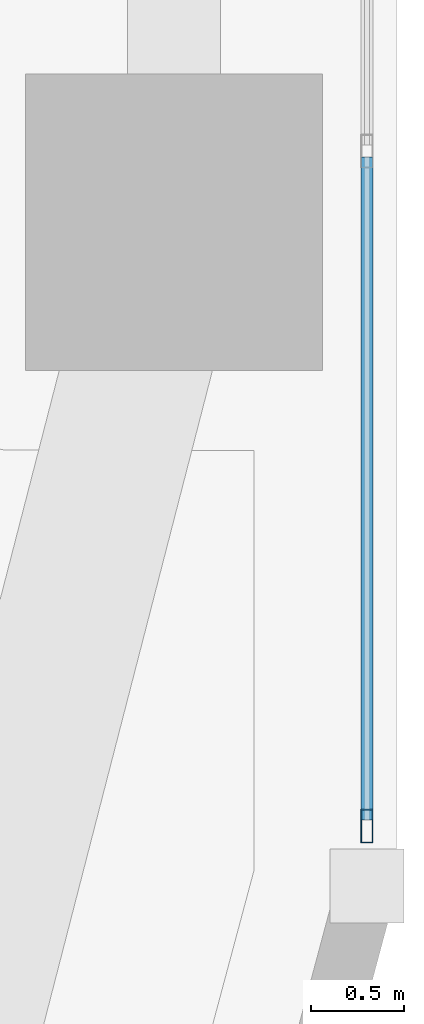
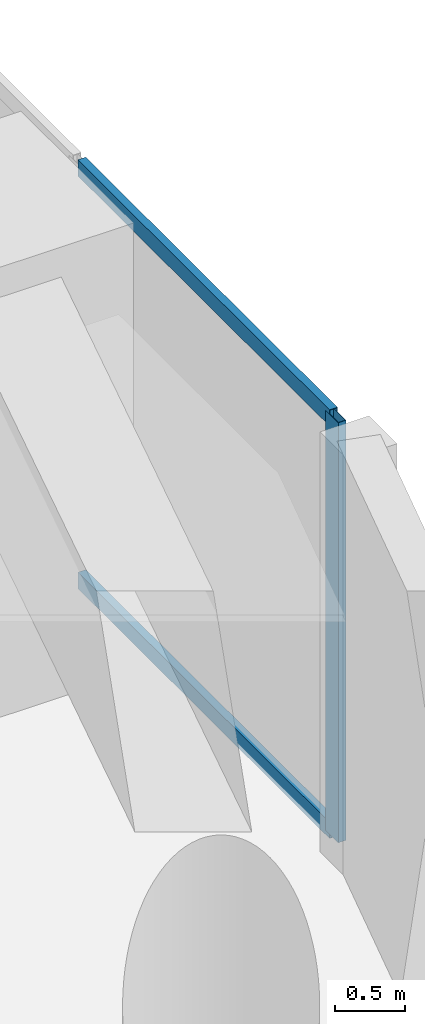
# One storey, part 4 of 28: 3 members, 1 element without a shape of its own.
"""IFC4 building model written with IfcOpenShell, lengths in metres."""

import ifcopenshell
import ifcopenshell.guid

model = None  # the IFC model being written
_history = None  # IfcOwnerHistory: only IFC2X3 demands one
_inside = {}  # id of a spatial element -> (the spatial element, [elements in it])
_under = {}  # id of a project, library or spatial element -> (it, [spatial elements below it])
_declared = {}  # id of a project -> (the project, [libraries it declares])
_typed = {}  # id of a type object -> (the type object, [elements of that type])
_made_of = {}  # id of a material, layer set ... -> (it, [elements and type objects made of it])


def new_model(schema):
    """Start an empty IFC model of exactly this schema.

    Asked for "IFC4X3", IfcOpenShell would pick the latest addendum, in which some entities
    have other attributes; the version numbers below select the first issue.
    IFC2X3 requires an IfcOwnerHistory on every rooted entity: one is made here for all.
    """
    global model, _history
    if schema == "IFC4X3":
        model = ifcopenshell.file(schema_version=(4, 3, 0, 0))
    else:
        model = ifcopenshell.file(schema=schema)
    _inside.clear()
    _under.clear()
    _declared.clear()
    _typed.clear()
    _made_of.clear()
    _history = None
    if model.schema == "IFC2X3":
        org = make("IfcOrganization", Name="unknown")
        user = make(
            "IfcPersonAndOrganization",
            ThePerson=make("IfcPerson", FamilyName="unknown"),
            TheOrganization=org,
        )
        app = make(
            "IfcApplication",
            ApplicationDeveloper=org,
            Version="unknown",
            ApplicationFullName="unknown",
            ApplicationIdentifier="unknown",
        )
        _history = make(
            "IfcOwnerHistory",
            OwningUser=user,
            OwningApplication=app,
            ChangeAction="ADDED",
            CreationDate=0,
        )
    return model


def make(cls, **values):
    """One entity of the class cls with the attributes given. An attribute that is None is left unset."""
    return model.create_entity(
        cls, **{name: value for name, value in values.items() if value is not None}
    )


def rooted(cls, **values):
    """An entity with a GlobalId (a new one), such as an element, a storey or a relation."""
    return make(cls, GlobalId=ifcopenshell.guid.new(), OwnerHistory=_history, **values)


def si_unit(unit_type, name, prefix=None):
    """IfcSIUnit, for example si_unit("LENGTHUNIT", "METRE", prefix="MILLI")."""
    return make("IfcSIUnit", UnitType=unit_type, Prefix=prefix, Name=name)


def assignment(units):
    """IfcUnitAssignment: the units of a project."""
    return None if units is None else make("IfcUnitAssignment", Units=units)


def point(xyz):
    """IfcCartesianPoint."""
    return None if xyz is None else make("IfcCartesianPoint", Coordinates=xyz)


def direction(xyz):
    """IfcDirection."""
    return None if xyz is None else make("IfcDirection", DirectionRatios=xyz)


def frame(location, z_axis=None, x_axis=None):
    """IfcAxis2Placement3D, a coordinate frame: its origin and axes. An axis left out is left unset."""
    return make(
        "IfcAxis2Placement3D",
        Location=point(location),
        Axis=direction(z_axis),
        RefDirection=direction(x_axis),
    )


def frame_2d(location, x_axis=None):
    """IfcAxis2Placement2D, a coordinate frame in the plane: its origin and x axis."""
    return make(
        "IfcAxis2Placement2D", Location=point(location), RefDirection=direction(x_axis)
    )


def origin():
    """The frame at (0, 0, 0) with its axes left unset."""
    return frame((0.0, 0.0, 0.0))


def origin_2d():
    """The frame at (0, 0) in the plane with its x axis left unset."""
    return frame_2d((0.0, 0.0))


def place(relative_to, where):
    """IfcLocalPlacement: puts the frame where relative to a parent placement (None: the world)."""
    return make(
        "IfcLocalPlacement", PlacementRelTo=relative_to, RelativePlacement=where
    )


def context(
    kind, dimensions, precision=None, world=None, true_north=None, identifier=None
):
    """IfcGeometricRepresentationContext, for example the 3D "Model" context."""
    return make(
        "IfcGeometricRepresentationContext",
        ContextIdentifier=identifier,
        ContextType=kind,
        CoordinateSpaceDimension=dimensions,
        Precision=precision,
        WorldCoordinateSystem=world,
        TrueNorth=true_north,
    )


def subcontext(parent, identifier, kind, view, scale=None):
    """IfcGeometricRepresentationSubContext, for example "Body" below "Model"."""
    return make(
        "IfcGeometricRepresentationSubContext",
        ContextIdentifier=identifier,
        ContextType=kind,
        ParentContext=parent,
        TargetScale=scale,
        TargetView=view,
    )


def project(units=None, contexts=None):
    """IfcProject with its units and contexts."""
    return rooted(
        "IfcProject",
        Name="project",
        RepresentationContexts=contexts,
        UnitsInContext=assignment(units),
    )


def spatial(cls, under=None, at=None, **own):
    """A site, building, storey or space (cls), placed at a placement, below another one or the project."""
    s = rooted(cls, ObjectPlacement=at, **own)
    if under is not None:
        _under.setdefault(under.id(), (under, []))[1].append(s)
    return s


def profile(cls, at=None, kind="AREA", **sizes):
    """A parametric profile (cls). Its sizes go by their IFC names, for example OverallWidth=200.0."""
    return make(cls, ProfileType=kind, Position=at, **sizes)


def hollow_rectangle(**sizes):
    """IfcRectangleHollowProfileDef."""
    return profile("IfcRectangleHollowProfileDef", **sizes)


def extrude(swept, where, along, depth):
    """IfcExtrudedAreaSolid: the profile swept, set in the frame where, extruded along a direction by depth."""
    return make(
        "IfcExtrudedAreaSolid",
        SweptArea=swept,
        Position=where,
        ExtrudedDirection=direction(along),
        Depth=depth,
    )


def shape(context_of_items, identifier, shape_type, items):
    """IfcShapeRepresentation: the items that make up one representation, for example the "Body"."""
    return make(
        "IfcShapeRepresentation",
        ContextOfItems=context_of_items,
        RepresentationIdentifier=identifier,
        RepresentationType=shape_type,
        Items=items,
    )


def material(Name=None, Category=None):
    """IfcMaterial."""
    return make("IfcMaterial", Name=Name, Category=Category)


def layer(
    of_material, thickness, ventilated=None, Name=None, Category=None, Priority=None
):
    """IfcMaterialLayer: one layer of a wall or slab, of a material (None: an air gap)."""
    return make(
        "IfcMaterialLayer",
        Material=of_material,
        LayerThickness=thickness,
        IsVentilated=ventilated,
        Name=Name,
        Category=Category,
        Priority=Priority,
    )


def layer_set(layers, Name=None):
    """IfcMaterialLayerSet."""
    return make("IfcMaterialLayerSet", MaterialLayers=layers, LayerSetName=Name)


def material_profile(
    of_material, cross_section, Name=None, Category=None, Priority=None
):
    """IfcMaterialProfile: a cross section and its material."""
    return make(
        "IfcMaterialProfile",
        Name=Name,
        Material=of_material,
        Profile=cross_section,
        Priority=Priority,
        Category=Category,
    )


def profile_set(profiles, Name=None, composite=None):
    """IfcMaterialProfileSet."""
    return make(
        "IfcMaterialProfileSet",
        Name=Name,
        MaterialProfiles=profiles,
        CompositeProfile=composite,
    )


def made_of(thing, what):
    """Note that an element or type object is made of a material, layer set ...; save() writes the relation."""
    if what is not None:
        _made_of.setdefault(what.id(), (what, []))[1].append(thing)
    return thing


def type_object(cls, material=None, **own):
    """A type object (cls), such as IfcWallType, which elements share."""
    return made_of(rooted(cls, **own), material)


def element(
    cls,
    number,
    at=None,
    inside=None,
    cuts=None,
    type_object=None,
    material=None,
    context=None,
    identifier="Body",
    shape_type=None,
    held_by="IfcProductDefinitionShape",
    body=None,
    shapes=None,
    **own,
):
    """One element of the class cls, such as IfcWall. Its Tag is "e" and its number.

    at: its placement. inside: the storey or other place that contains it. cuts: it is an
    opening in that element (IfcRelVoidsElement). A single representation is given by context,
    identifier, shape_type and body (its items); several are given by shapes. held_by: the class
    of the entity that holds the representations. save() writes the other relations.
    """
    e = rooted(cls, Tag="e%d" % number, ObjectPlacement=at, **own)
    if body is not None:
        shapes = [shape(context, identifier, shape_type, body)]
    if shapes is not None:
        e.Representation = make(held_by, Representations=shapes)
    if inside is not None:
        _inside.setdefault(inside.id(), (inside, []))[1].append(e)
    if cuts is not None:
        rooted(
            "IfcRelVoidsElement", RelatingBuildingElement=cuts, RelatedOpeningElement=e
        )
    if type_object is not None:
        _typed.setdefault(type_object.id(), (type_object, []))[1].append(e)
    return made_of(e, material)


def aggregate(whole, parts):
    """IfcRelAggregates: a whole, such as a stair, and the parts it consists of."""
    return rooted("IfcRelAggregates", RelatingObject=whole, RelatedObjects=parts)


def save(model, path):
    """Write the relations noted so far, then the file.

    IfcRelAggregates (storeys below a building ...), IfcRelContainedInSpatialStructure (elements
    in a storey), IfcRelDefinesByType, IfcRelAssociatesMaterial and IfcRelDeclares: one each for
    every whole, place, type object, material and project.
    """
    for whole, parts in _under.values():
        aggregate(whole, parts)
    for where, things in _inside.values():
        rooted(
            "IfcRelContainedInSpatialStructure",
            RelatedElements=things,
            RelatingStructure=where,
        )
    for kind, things in _typed.values():
        rooted("IfcRelDefinesByType", RelatedObjects=things, RelatingType=kind)
    for what, things in _made_of.values():
        rooted("IfcRelAssociatesMaterial", RelatedObjects=things, RelatingMaterial=what)
    for by, libraries in _declared.values():
        rooted("IfcRelDeclares", RelatingContext=by, RelatedDefinitions=libraries)
    model.write(path)


model = new_model("IFC4")

# Units and contexts
model_context = context("Model", 3, precision=1e-05, world=origin(), true_north=direction((0.0, 1.0)))
body_context = subcontext(model_context, "Body", "Model", "MODEL_VIEW")
ifc_project = project(units=[si_unit("LENGTHUNIT", "METRE"), si_unit("AREAUNIT", "SQUARE_METRE"), si_unit("VOLUMEUNIT", "CUBIC_METRE"), si_unit("PLANEANGLEUNIT", "RADIAN"), si_unit("MASSUNIT", "GRAM", prefix="KILO")], contexts=[model_context])

# Site, building, storey
site_placement = place(None, origin())
site = spatial("IfcSite", under=ifc_project, at=site_placement, CompositionType="ELEMENT")
building_placement = place(site_placement, origin())
building = spatial("IfcBuilding", under=site, at=building_placement, Name="Kiyonajd Concourse Tower", CompositionType="ELEMENT")
storey_placement = place(building_placement, frame((0.0, 0.0, 37.199951171875)))
storey = spatial("IfcBuildingStorey", under=building, at=storey_placement, Name="L10", CompositionType="ELEMENT", Elevation=37.199951171875)

# Curtain wall, members
ifc_material = material(Name="Thermally Broken Anodised Aluminium", Category="aluminium")
ifc_layer = layer(ifc_material, 0.179931640625)
ifc_layer_set = layer_set([ifc_layer], Name="Thermally Broken Anodised Aluminium")
curtain_wall_type = type_object("IfcCurtainWallType", Name="CW-SYS-02", PredefinedType="NOTDEFINED", material=ifc_layer_set)
curtain_wall_placement = place(storey_placement, origin())
curtain_wall = element("IfcCurtainWall", 1, at=curtain_wall_placement, inside=storey, type_object=curtain_wall_type, Name="L10 Unitised Curtain Wall CW2", PredefinedType="NOTDEFINED")
ifc_material_profile_1 = material_profile(ifc_material, hollow_rectangle(XDim=0.06494140625, YDim=0.179931640625, WallThickness=0.00390625, at=origin_2d()), Name="MULL-65x180")
ifc_profile_set_1 = profile_set([ifc_material_profile_1], Name="Thermally Broken Anodised Aluminium")
member_type_1 = type_object("IfcMemberType", Name="MB-CW-MULL1", PredefinedType="MULLION", material=ifc_profile_set_1)
member_1_placement = place(storey_placement, frame((79.0400390625, 15.343505859375, 0.0), z_axis=(0.0, 0.0, 1.0), x_axis=(1.0, 0.0, 0.0)))
member_1 = element("IfcMember", 2, at=member_1_placement, type_object=member_type_1, Name="CW2 mullion 7", PredefinedType="MULLION", context=body_context, shape_type="SweptSolid", body=[
    extrude(hollow_rectangle(XDim=0.06494140625, YDim=0.179931640625, WallThickness=0.00390625, at=origin_2d()), origin(), (0.0, 0.0, 1.0), 3.64013671875),
])
ifc_material_profile_2 = material_profile(ifc_material, hollow_rectangle(XDim=0.06494140625, YDim=0.139892578125, WallThickness=0.00390625, at=origin_2d()), Name="TRAN-65x140")
ifc_profile_set_2 = profile_set([ifc_material_profile_2], Name="Thermally Broken Anodised Aluminium")
member_type_2 = type_object("IfcMemberType", Name="MB-CW-TRAN1", PredefinedType="USERDEFINED", material=ifc_profile_set_2)
member_2_placement = place(storey_placement, frame((79.0400390625, 18.95166015625, 0.032470703125), z_axis=(0.0, -1.0, 0.0), x_axis=(1.0, 0.0, 0.0)))
member_2 = element("IfcMember", 3, at=member_2_placement, type_object=member_type_2, Name="CW2 transom 6.1", ObjectType="TRANSOM", PredefinedType="USERDEFINED", context=body_context, shape_type="SweptSolid", body=[
    extrude(hollow_rectangle(XDim=0.06494140625, YDim=0.139892578125, WallThickness=0.00390625, at=origin_2d()), origin(), (0.0, 0.0, 1.0), 3.575439453125),
])
member_3_placement = place(storey_placement, frame((79.0400390625, 18.95166015625, 3.607666015625), z_axis=(0.0, -1.0, 0.0), x_axis=(1.0, 0.0, 0.0)))
member_3 = element("IfcMember", 4, at=member_3_placement, type_object=member_type_2, Name="CW2 transom 6.2", ObjectType="TRANSOM", PredefinedType="USERDEFINED", context=body_context, shape_type="SweptSolid", body=[
    extrude(hollow_rectangle(XDim=0.06494140625, YDim=0.139892578125, WallThickness=0.00390625, at=origin_2d()), origin(), (0.0, 0.0, 1.0), 3.575439453125),
])
aggregate(curtain_wall, [member_1, member_2, member_3])

save(model, "model.ifc")
